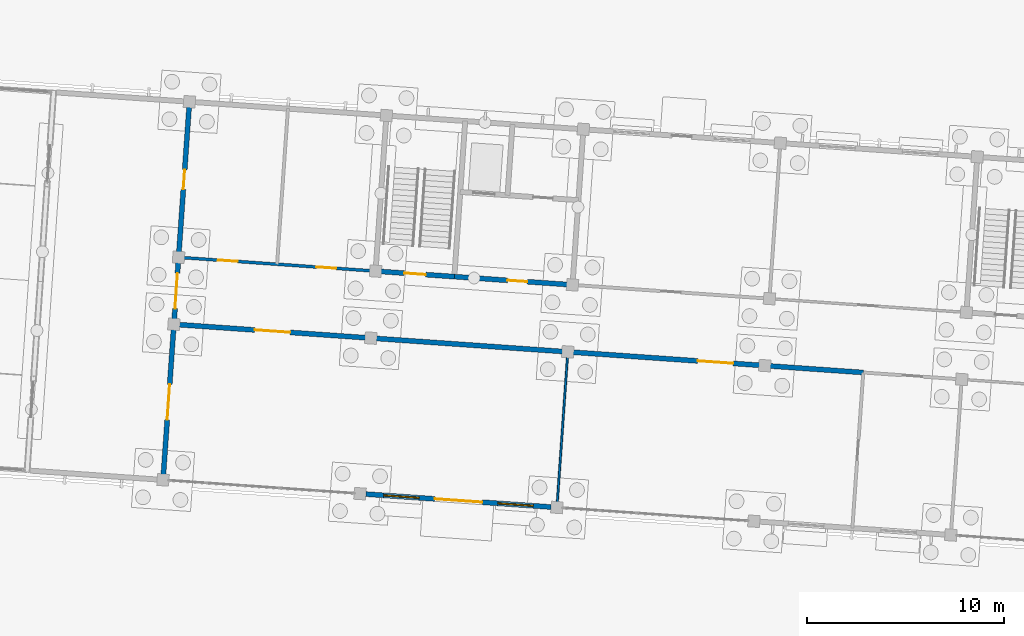
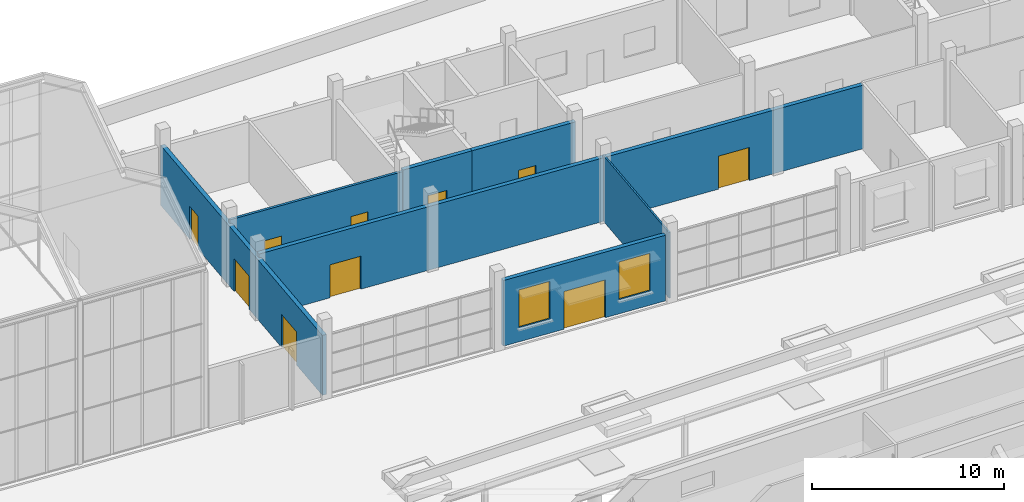
# One storey, part 99 of 157: 10 doors, 7 walls, 2 windows, 12 openings.
"""IFC4 building model written with IfcOpenShell, lengths in metres."""

from ifc_helpers import new_model, si_unit, direction, frame, frame_2d, origin, place, context, subcontext, project, spatial, rectangle, extrude, material, layer, layer_set, type_object, element, fill, save


model = new_model("IFC4")

# Units and contexts
model_context = context("Model", 3, precision=1e-05, world=origin(), true_north=direction((0.0, 1.0)))
body_context = subcontext(model_context, "Body", "Model", "MODEL_VIEW")
ifc_project = project(units=[si_unit("LENGTHUNIT", "METRE"), si_unit("AREAUNIT", "SQUARE_METRE"), si_unit("VOLUMEUNIT", "CUBIC_METRE"), si_unit("PLANEANGLEUNIT", "RADIAN"), si_unit("MASSUNIT", "GRAM", prefix="KILO")], contexts=[model_context])

# Site, building, storey
site_placement = place(None, origin())
site = spatial("IfcSite", under=ifc_project, at=site_placement, CompositionType="ELEMENT")
building_placement = place(site_placement, origin())
building = spatial("IfcBuilding", under=site, at=building_placement, Name="Windward Yard Aquatics Centre", CompositionType="ELEMENT")
storey_placement = place(building_placement, origin())
storey = spatial("IfcBuildingStorey", under=building, at=storey_placement, Name="L00", CompositionType="ELEMENT", Elevation=0.0)

# Wall, openings, doors
ifc_material_1 = material(Name="Concrete C40/50", Category="concrete")
ifc_layer_1 = layer(ifc_material_1, 0.25)
ifc_layer_set_1 = layer_set([ifc_layer_1], Name="W RC core wall 250 Concrete C40/50")
wall_type_1 = type_object("IfcWallType", Name="W RC core wall 250 Concrete C40/50", PredefinedType="SOLIDWALL", material=ifc_layer_set_1)
wall_1_placement = place(storey_placement, frame((107.86328125, 116.864990234375, 0.0), z_axis=(0.0, 0.0, 1.0), x_axis=(0.069745107516, 0.997564844999, 0.0)))
wall_1 = element("IfcWall", 1, at=wall_1_placement, inside=storey, type_object=wall_type_1, Name="W.WL.L00.001", PredefinedType="SOLIDWALL", context=body_context, shape_type="SweptSolid", body=[
    extrude(rectangle(XDim=19.2001953125, YDim=0.25, at=frame_2d((9.60009765625, 0.0))), origin(), (0.0, 0.0, 1.0), 3.805908203125),
])
opening_1_placement = place(wall_1_placement, frame((3.050048828125, 0.0, 0.0)))
opening_1 = element("IfcOpeningElement", 2, at=opening_1_placement, cuts=wall_1, Name="Opening W0007", PredefinedType="OPENING", context=body_context, shape_type="SweptSolid", body=[
    extrude(rectangle(XDim=1.800048828125, YDim=2.10009765625, at=frame_2d((0.89990234375, 1.050048828125))), frame((0.0, 0.135009765625, 0.0), z_axis=(0.0, -1.0, 0.0), x_axis=(1.0, 0.0, 0.0)), (0.0, 0.0, 1.0), 0.27001953125),
])
opening_2_placement = place(wall_1_placement, frame((8.699951171875, 0.0, 0.0)))
opening_2 = element("IfcOpeningElement", 3, at=opening_2_placement, cuts=wall_1, Name="Opening W0008", PredefinedType="OPENING", context=body_context, shape_type="SweptSolid", body=[
    extrude(rectangle(XDim=1.800048828125, YDim=2.10009765625, at=frame_2d((0.89990234375, 1.050048828125))), frame((0.0, 0.135009765625, 0.0), z_axis=(0.0, -1.0, 0.0), x_axis=(1.0, 0.0, 0.0)), (0.0, 0.0, 1.0), 0.27001953125),
])
opening_3_placement = place(wall_1_placement, frame((14.75, 0.0, 0.0)))
opening_3 = element("IfcOpeningElement", 4, at=opening_3_placement, cuts=wall_1, Name="Opening W0009", PredefinedType="OPENING", context=body_context, shape_type="SweptSolid", body=[
    extrude(rectangle(XDim=1.0, YDim=2.10009765625, at=frame_2d((0.5, 1.050048828125))), frame((0.0, 0.135009765625, 0.0), z_axis=(0.0, -1.0, 0.0), x_axis=(1.0, 0.0, 0.0)), (0.0, 0.0, 1.0), 0.27001953125),
])
ifc_material_2 = material(Name="Timber door leaf", Category="wood")
door_type_1 = type_object("IfcDoorType", Name="W door 1000x2100", OperationType="SINGLE_SWING_LEFT", PredefinedType="DOOR", material=ifc_material_2)
door_1_placement = place(opening_3_placement, origin())
door_1 = element("IfcDoor", 5, at=door_1_placement, inside=storey, type_object=door_type_1, Name="W.DRI.L00.005", OperationType="SINGLE_SWING_LEFT", OverallHeight=2.10009765625, OverallWidth=1.0, PredefinedType="DOOR", context=body_context, shape_type="SweptSolid", body=[
    extrude(rectangle(XDim=1.0, YDim=2.10009765625, at=frame_2d((0.5, 1.050048828125))), frame((0.0, 0.02490234375, 0.0), z_axis=(0.0, -1.0, 0.0), x_axis=(1.0, 0.0, 0.0)), (0.0, 0.0, 1.0), 0.050048828125),
])
fill(opening_3, door_1)
door_type_2 = type_object("IfcDoorType", Name="W double door 1800x2100", OperationType="DOUBLE_DOOR_SINGLE_SWING", PredefinedType="DOOR", material=ifc_material_2)
door_2_placement = place(opening_1_placement, origin())
door_2 = element("IfcDoor", 6, at=door_2_placement, inside=storey, type_object=door_type_2, Name="W.DRI.L00.003", OperationType="DOUBLE_DOOR_SINGLE_SWING", OverallHeight=2.10009765625, OverallWidth=1.800048828125, PredefinedType="DOOR", context=body_context, shape_type="SweptSolid", body=[
    extrude(rectangle(XDim=1.800048828125, YDim=2.10009765625, at=frame_2d((0.89990234375, 1.050048828125))), frame((0.0, 0.02490234375, 0.0), z_axis=(0.0, -1.0, 0.0), x_axis=(1.0, 0.0, 0.0)), (0.0, 0.0, 1.0), 0.050048828125),
])
fill(opening_1, door_2)
door_3_placement = place(opening_2_placement, origin())
door_3 = element("IfcDoor", 7, at=door_3_placement, inside=storey, type_object=door_type_2, Name="W.DRI.L00.004", OperationType="DOUBLE_DOOR_SINGLE_SWING", OverallHeight=2.10009765625, OverallWidth=1.800048828125, PredefinedType="DOOR", context=body_context, shape_type="SweptSolid", body=[
    extrude(rectangle(XDim=1.800048828125, YDim=2.10009765625, at=frame_2d((0.89990234375, 1.050048828125))), frame((0.0, 0.02490234375, 0.0), z_axis=(0.0, -1.0, 0.0), x_axis=(1.0, 0.0, 0.0)), (0.0, 0.0, 1.0), 0.050048828125),
])
fill(opening_2, door_3)

wall_2_placement = place(storey_placement, frame((108.414306640625, 124.745849609375, 0.0), z_axis=(0.0, 0.0, 1.0), x_axis=(0.99756419748, -0.069754368369, 0.0)))
wall_2 = element("IfcWall", 8, at=wall_2_placement, inside=storey, type_object=wall_type_1, Name="W.WL.L00.019", PredefinedType="PARTITIONING", context=body_context, shape_type="SweptSolid", body=[
    extrude(rectangle(XDim=35.0, YDim=0.25, at=frame_2d((17.5, 0.0))), origin(), (0.0, 0.0, 1.0), 4.0419921875),
])
opening_4_placement = place(wall_2_placement, frame((4.10009765625, 0.0, 0.0)))
opening_4 = element("IfcOpeningElement", 9, at=opening_4_placement, cuts=wall_2, Name="Opening W0010", PredefinedType="OPENING", context=body_context, shape_type="SweptSolid", body=[
    extrude(rectangle(XDim=1.800048828125, YDim=2.10009765625, at=frame_2d((0.89990234375, 1.050048828125))), frame((0.0, 0.135009765625, 0.0), z_axis=(0.0, -1.0, 0.0), x_axis=(1.0, 0.0, 0.0)), (0.0, 0.0, 1.0), 0.27001953125),
])
opening_5_placement = place(wall_2_placement, frame((26.60009765625, 0.0, 0.0)))
opening_5 = element("IfcOpeningElement", 10, at=opening_5_placement, cuts=wall_2, Name="Opening W0011", PredefinedType="OPENING", context=body_context, shape_type="SweptSolid", body=[
    extrude(rectangle(XDim=1.800048828125, YDim=2.10009765625, at=frame_2d((0.89990234375, 1.050048828125))), frame((0.0, 0.135009765625, 0.0), z_axis=(0.0, -1.0, 0.0), x_axis=(1.0, 0.0, 0.0)), (0.0, 0.0, 1.0), 0.27001953125),
])
door_4_placement = place(opening_4_placement, origin())
door_4 = element("IfcDoor", 11, at=door_4_placement, inside=storey, type_object=door_type_2, Name="W.DRI.L00.006", OperationType="DOUBLE_DOOR_SINGLE_SWING", OverallHeight=2.10009765625, OverallWidth=1.800048828125, PredefinedType="DOOR", context=body_context, shape_type="SweptSolid", body=[
    extrude(rectangle(XDim=1.800048828125, YDim=2.10009765625, at=frame_2d((0.89990234375, 1.050048828125))), frame((0.0, 0.02490234375, 0.0), z_axis=(0.0, -1.0, 0.0), x_axis=(1.0, 0.0, 0.0)), (0.0, 0.0, 1.0), 0.050048828125),
])
fill(opening_4, door_4)
door_5_placement = place(opening_5_placement, origin())
door_5 = element("IfcDoor", 12, at=door_5_placement, inside=storey, type_object=door_type_2, Name="W.DRI.L00.007", OperationType="DOUBLE_DOOR_SINGLE_SWING", OverallHeight=2.10009765625, OverallWidth=1.800048828125, PredefinedType="DOOR", context=body_context, shape_type="SweptSolid", body=[
    extrude(rectangle(XDim=1.800048828125, YDim=2.10009765625, at=frame_2d((0.89990234375, 1.050048828125))), frame((0.0, 0.02490234375, 0.0), z_axis=(0.0, -1.0, 0.0), x_axis=(1.0, 0.0, 0.0)), (0.0, 0.0, 1.0), 0.050048828125),
])
fill(opening_5, door_5)

# Wall, opening, door
wall_3_placement = place(storey_placement, frame((118.627197265625, 127.43994140625, 0.0), z_axis=(0.0, 0.0, 1.0), x_axis=(0.997563556766, -0.069763530677, 0.0)))
wall_3 = element("IfcWall", 13, at=wall_3_placement, inside=storey, type_object=wall_type_1, Name="W.WL.L00.024", PredefinedType="SOLIDWALL", context=body_context, shape_type="SweptSolid", body=[
    extrude(rectangle(XDim=4.0, YDim=0.25, at=frame_2d((2.0, 0.0))), origin(), (0.0, 0.0, 1.0), 4.169921875),
])
opening_6_placement = place(wall_3_placement, frame((1.449951171875, 0.0, 0.0)))
opening_6 = element("IfcOpeningElement", 14, at=opening_6_placement, cuts=wall_3, Name="Opening W0024", PredefinedType="OPENING", context=body_context, shape_type="SweptSolid", body=[
    extrude(rectangle(XDim=1.10009765625, YDim=2.10009765625, at=frame_2d((0.550048828125, 1.050048828125))), frame((0.0, 0.135009765625, 0.0), z_axis=(0.0, -1.0, 0.0), x_axis=(1.0, 0.0, 0.0)), (0.0, 0.0, 1.0), 0.27001953125),
])
ifc_material_3 = material(Name="Steel fire door leaf", Category="steel")
door_type_3 = type_object("IfcDoorType", Name="W stair door FD60 1100x2100", OperationType="SINGLE_SWING_LEFT", PredefinedType="DOOR", material=ifc_material_3)
door_6_placement = place(opening_6_placement, origin())
door_6 = element("IfcDoor", 15, at=door_6_placement, inside=storey, type_object=door_type_3, Name="W.DRI.L00.020", OperationType="SINGLE_SWING_RIGHT", OverallHeight=2.10009765625, OverallWidth=1.10009765625, PredefinedType="DOOR", context=body_context, shape_type="SweptSolid", body=[
    extrude(rectangle(XDim=1.10009765625, YDim=2.10009765625, at=frame_2d((0.550048828125, 1.050048828125))), frame((0.0, 0.02490234375, 0.0), z_axis=(0.0, -1.0, 0.0), x_axis=(1.0, 0.0, 0.0)), (0.0, 0.0, 1.0), 0.050048828125),
])
fill(opening_6, door_6)

wall_4_placement = place(storey_placement, frame((122.617431640625, 127.160888671875, 0.0), z_axis=(0.0, 0.0, 1.0), x_axis=(0.997564972454, -0.069743284499, 0.0)))
wall_4 = element("IfcWall", 16, at=wall_4_placement, inside=storey, type_object=wall_type_1, Name="W.WL.L00.025", PredefinedType="SOLIDWALL", context=body_context, shape_type="SweptSolid", body=[
    extrude(rectangle(XDim=6.0, YDim=0.25, at=frame_2d((3.0, 0.0))), origin(), (0.0, 0.0, 1.0), 4.169921875),
])
opening_7_placement = place(wall_4_placement, frame((2.699951171875, 0.0, 0.0)))
opening_7 = element("IfcOpeningElement", 17, at=opening_7_placement, cuts=wall_4, Name="Opening W0025", PredefinedType="OPENING", context=body_context, shape_type="SweptSolid", body=[
    extrude(rectangle(XDim=1.0, YDim=2.10009765625, at=frame_2d((0.5, 1.050048828125))), frame((0.0, 0.135009765625, 0.0), z_axis=(0.0, -1.0, 0.0), x_axis=(1.0, 0.0, 0.0)), (0.0, 0.0, 1.0), 0.27001953125),
])
door_type_4 = type_object("IfcDoorType", Name="W fire door FD60 1000x2100", OperationType="SINGLE_SWING_LEFT", PredefinedType="DOOR", material=ifc_material_3)
door_7_placement = place(opening_7_placement, origin())
door_7 = element("IfcDoor", 18, at=door_7_placement, inside=storey, type_object=door_type_4, Name="W.DRI.L00.021", OperationType="SINGLE_SWING_LEFT", OverallHeight=2.10009765625, OverallWidth=1.0, PredefinedType="DOOR", context=body_context, shape_type="SweptSolid", body=[
    extrude(rectangle(XDim=1.0, YDim=2.10009765625, at=frame_2d((0.5, 1.050048828125))), frame((0.0, 0.02490234375, 0.0), z_axis=(0.0, -1.0, 0.0), x_axis=(1.0, 0.0, 0.0)), (0.0, 0.0, 1.0), 0.050048828125),
])
fill(opening_7, door_7)

# Wall, openings, door, windows
ifc_layer_2 = layer(ifc_material_1, 0.25)
ifc_layer_set_2 = layer_set([ifc_layer_2], Name="W facade wall 250 Precast Concrete C40/50")
wall_type_2 = type_object("IfcWallType", Name="W facade wall 250 Precast Concrete C40/50", PredefinedType="SOLIDWALL", material=ifc_layer_set_2)
wall_5_placement = place(storey_placement, frame((118.13818359375, 116.146484375, 0.0), z_axis=(0.0, 0.0, 1.0), x_axis=(0.997565403773, -0.069737114901, 0.0)))
wall_5 = element("IfcWall", 19, at=wall_5_placement, inside=storey, type_object=wall_type_2, Name="W.FW.L00.S.46.8", PredefinedType="SOLIDWALL", context=body_context, shape_type="SweptSolid", body=[
    extrude(rectangle(XDim=9.39990234375, YDim=0.25, at=frame_2d((4.699951171875, 0.0))), origin(), (0.0, 0.0, 1.0), 4.169921875),
])
opening_8_placement = place(wall_5_placement, frame((3.5, 0.0, 0.0)))
opening_8 = element("IfcOpeningElement", 20, at=opening_8_placement, cuts=wall_5, Name="Opening W0001", PredefinedType="OPENING", context=body_context, shape_type="SweptSolid", body=[
    extrude(rectangle(XDim=2.39990234375, YDim=2.39990234375, at=frame_2d((1.199951171875, 1.199951171875))), frame((0.0, 0.135009765625, 0.0), z_axis=(0.0, -1.0, 0.0), x_axis=(1.0, 0.0, 0.0)), (0.0, 0.0, 1.0), 0.27001953125),
])
opening_9_placement = place(wall_5_placement, frame((0.89990234375, 0.0, 0.89990234375)))
opening_9 = element("IfcOpeningElement", 21, at=opening_9_placement, cuts=wall_5, Name="Opening W0501", PredefinedType="OPENING", context=body_context, shape_type="SweptSolid", body=[
    extrude(rectangle(XDim=1.800048828125, YDim=2.39990234375, at=frame_2d((0.89990234375, 1.199951171875))), frame((0.0, 0.135009765625, 0.0), z_axis=(0.0, -1.0, 0.0), x_axis=(1.0, 0.0, 0.0)), (0.0, 0.0, 1.0), 0.27001953125),
])
opening_10_placement = place(wall_5_placement, frame((6.699951171875, 0.0, 0.89990234375)))
opening_10 = element("IfcOpeningElement", 22, at=opening_10_placement, cuts=wall_5, Name="Opening W0502", PredefinedType="OPENING", context=body_context, shape_type="SweptSolid", body=[
    extrude(rectangle(XDim=1.800048828125, YDim=2.39990234375, at=frame_2d((0.89990234375, 1.199951171875))), frame((0.0, 0.135009765625, 0.0), z_axis=(0.0, -1.0, 0.0), x_axis=(1.0, 0.0, 0.0)), (0.0, 0.0, 1.0), 0.27001953125),
])
ifc_material_4 = material(Name="Aluminium and glass automatic sliding door", Category="aluminium")
door_type_5 = type_object("IfcDoorType", Name="W entrance door 2400x2400", OperationType="DOUBLE_DOOR_SLIDING", PredefinedType="DOOR", material=ifc_material_4)
door_8_placement = place(opening_8_placement, origin())
door_8 = element("IfcDoor", 23, at=door_8_placement, inside=storey, type_object=door_type_5, Name="W.DRX.L00.W0001", OperationType="DOUBLE_DOOR_SLIDING", OverallHeight=2.39990234375, OverallWidth=2.39990234375, PredefinedType="DOOR", context=body_context, shape_type="SweptSolid", body=[
    extrude(rectangle(XDim=2.39990234375, YDim=2.39990234375, at=frame_2d((1.199951171875, 1.199951171875))), frame((0.0, 0.02490234375, 0.0), z_axis=(0.0, -1.0, 0.0), x_axis=(1.0, 0.0, 0.0)), (0.0, 0.0, 1.0), 0.050048828125),
])
fill(opening_8, door_8)
ifc_material_5 = material(Name="Aluminium framed glazing", Category="aluminium")
window_type = type_object("IfcWindowType", Name="W window 1800x2400", PartitioningType="SINGLE_PANEL", PredefinedType="WINDOW", material=ifc_material_5)
window_1_placement = place(opening_9_placement, origin())
window_1 = element("IfcWindow", 24, at=window_1_placement, inside=storey, type_object=window_type, Name="W.WN.L00.W0501", OverallHeight=2.39990234375, OverallWidth=1.800048828125, PartitioningType="SINGLE_PANEL", PredefinedType="WINDOW", context=body_context, shape_type="SweptSolid", body=[
    extrude(rectangle(XDim=1.800048828125, YDim=2.39990234375, at=frame_2d((0.89990234375, 1.199951171875))), frame((0.0, 0.030029296875, 0.0), z_axis=(0.0, -1.0, 0.0), x_axis=(1.0, 0.0, 0.0)), (0.0, 0.0, 1.0), 0.06005859375),
])
fill(opening_9, window_1)
window_2_placement = place(opening_10_placement, origin())
window_2 = element("IfcWindow", 25, at=window_2_placement, inside=storey, type_object=window_type, Name="W.WN.L00.W0502", OverallHeight=2.39990234375, OverallWidth=1.800048828125, PartitioningType="SINGLE_PANEL", PredefinedType="WINDOW", context=body_context, shape_type="SweptSolid", body=[
    extrude(rectangle(XDim=1.800048828125, YDim=2.39990234375, at=frame_2d((0.89990234375, 1.199951171875))), frame((0.0, 0.030029296875, 0.0), z_axis=(0.0, -1.0, 0.0), x_axis=(1.0, 0.0, 0.0)), (0.0, 0.0, 1.0), 0.06005859375),
])
fill(opening_10, window_2)

# Wall
ifc_material_6 = material(Name="Plasterboard on steel stud partition", Category="steel")
ifc_layer_3 = layer(ifc_material_6, 0.10009765625)
ifc_layer_set_3 = layer_set([ifc_layer_3], Name="W partition 100")
wall_type_3 = type_object("IfcWallType", Name="W partition 100", PredefinedType="PARTITIONING", material=ifc_layer_set_3)
wall_6_placement = place(storey_placement, frame((127.814453125, 115.469970703125, 0.0), z_axis=(0.0, 0.0, 1.0), x_axis=(0.069751320509, 0.997564410596, 0.0)))
element("IfcWall", 26, at=wall_6_placement, inside=storey, type_object=wall_type_3, Name="W.WL.L00.006", PredefinedType="PARTITIONING", context=body_context, shape_type="SweptSolid", body=[
    extrude(rectangle(XDim=7.89990234375, YDim=0.10009765625, at=frame_2d((3.949951171875, 0.0))), origin(), (0.0, 0.0, 1.0), 4.169921875),
])

# Wall, openings, doors
ifc_material_7 = material(Name="Blockwork partition with tiled finish", Category="masonry")
ifc_layer_4 = layer(ifc_material_7, 0.14990234375)
ifc_layer_set_4 = layer_set([ifc_layer_4], Name="W partition 150 wet area")
wall_type_4 = type_object("IfcWallType", Name="W partition 150 wet area", PredefinedType="PARTITIONING", material=ifc_layer_set_4)
wall_7_placement = place(storey_placement, frame((108.651611328125, 128.1376953125, 0.0), z_axis=(0.0, 0.0, 1.0), x_axis=(0.997562707158, -0.069775678342, 0.0)))
wall_7 = element("IfcWall", 27, at=wall_7_placement, inside=storey, type_object=wall_type_4, Name="W.WL.L00.023", PredefinedType="PARTITIONING", context=body_context, shape_type="SweptSolid", body=[
    extrude(rectangle(XDim=10.0, YDim=0.14990234375, at=frame_2d((5.0, 0.0))), origin(), (0.0, 0.0, 1.0), 4.0419921875),
])
opening_11_placement = place(wall_7_placement, frame((2.0, 0.0, 0.0)))
opening_11 = element("IfcOpeningElement", 28, at=opening_11_placement, cuts=wall_7, Name="Opening W0018", PredefinedType="OPENING", context=body_context, shape_type="SweptSolid", body=[
    extrude(rectangle(XDim=1.0, YDim=2.10009765625, at=frame_2d((0.5, 1.050048828125))), frame((0.0, 0.0849609375, 0.0), z_axis=(0.0, -1.0, 0.0), x_axis=(1.0, 0.0, 0.0)), (0.0, 0.0, 1.0), 0.169921875),
])
opening_12_placement = place(wall_7_placement, frame((7.0, 0.0, 0.0)))
opening_12 = element("IfcOpeningElement", 29, at=opening_12_placement, cuts=wall_7, Name="Opening W0019", PredefinedType="OPENING", context=body_context, shape_type="SweptSolid", body=[
    extrude(rectangle(XDim=1.0, YDim=2.10009765625, at=frame_2d((0.5, 1.050048828125))), frame((0.0, 0.0849609375, 0.0), z_axis=(0.0, -1.0, 0.0), x_axis=(1.0, 0.0, 0.0)), (0.0, 0.0, 1.0), 0.169921875),
])
door_9_placement = place(opening_11_placement, origin())
door_9 = element("IfcDoor", 30, at=door_9_placement, inside=storey, type_object=door_type_1, Name="W.DRI.L00.014", OperationType="SINGLE_SWING_RIGHT", OverallHeight=2.10009765625, OverallWidth=1.0, PredefinedType="DOOR", context=body_context, shape_type="SweptSolid", body=[
    extrude(rectangle(XDim=1.0, YDim=2.10009765625, at=frame_2d((0.5, 1.050048828125))), frame((0.0, 0.02490234375, 0.0), z_axis=(0.0, -1.0, 0.0), x_axis=(1.0, 0.0, 0.0)), (0.0, 0.0, 1.0), 0.050048828125),
])
fill(opening_11, door_9)
door_10_placement = place(opening_12_placement, origin())
door_10 = element("IfcDoor", 31, at=door_10_placement, inside=storey, type_object=door_type_1, Name="W.DRI.L00.015", OperationType="SINGLE_SWING_LEFT", OverallHeight=2.10009765625, OverallWidth=1.0, PredefinedType="DOOR", context=body_context, shape_type="SweptSolid", body=[
    extrude(rectangle(XDim=1.0, YDim=2.10009765625, at=frame_2d((0.5, 1.050048828125))), frame((0.0, 0.02490234375, 0.0), z_axis=(0.0, -1.0, 0.0), x_axis=(1.0, 0.0, 0.0)), (0.0, 0.0, 1.0), 0.050048828125),
])
fill(opening_12, door_10)

save(model, "model.ifc")
